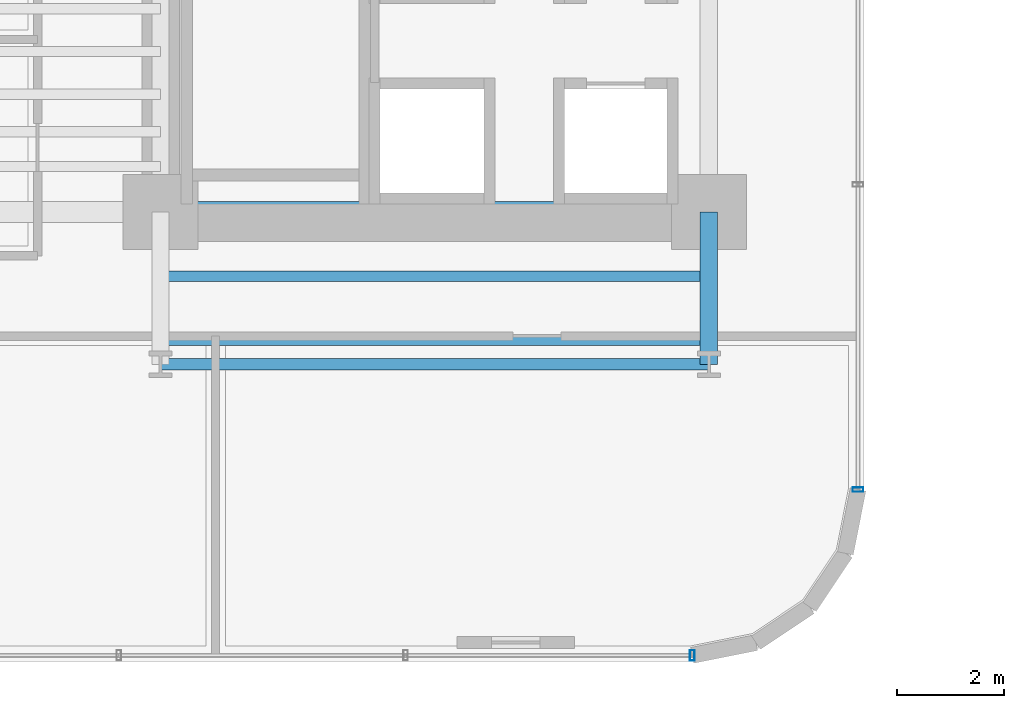
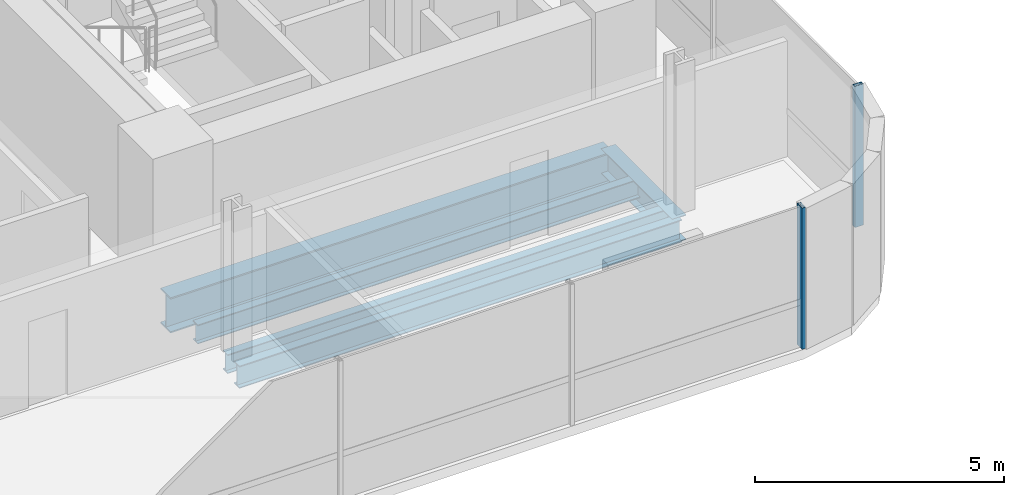
# One storey, part 5 of 39: 5 beams, 2 members, 2 elements without a shape of their own.
"""IFC4 building model written with IfcOpenShell, lengths in metres."""

import ifcopenshell
import ifcopenshell.guid

model = None  # the IFC model being written
_history = None  # IfcOwnerHistory: only IFC2X3 demands one
_inside = {}  # id of a spatial element -> (the spatial element, [elements in it])
_under = {}  # id of a project, library or spatial element -> (it, [spatial elements below it])
_declared = {}  # id of a project -> (the project, [libraries it declares])
_typed = {}  # id of a type object -> (the type object, [elements of that type])
_made_of = {}  # id of a material, layer set ... -> (it, [elements and type objects made of it])


def new_model(schema):
    """Start an empty IFC model of exactly this schema.

    Asked for "IFC4X3", IfcOpenShell would pick the latest addendum, in which some entities
    have other attributes; the version numbers below select the first issue.
    IFC2X3 requires an IfcOwnerHistory on every rooted entity: one is made here for all.
    """
    global model, _history
    if schema == "IFC4X3":
        model = ifcopenshell.file(schema_version=(4, 3, 0, 0))
    else:
        model = ifcopenshell.file(schema=schema)
    _inside.clear()
    _under.clear()
    _declared.clear()
    _typed.clear()
    _made_of.clear()
    _history = None
    if model.schema == "IFC2X3":
        org = make("IfcOrganization", Name="unknown")
        user = make(
            "IfcPersonAndOrganization",
            ThePerson=make("IfcPerson", FamilyName="unknown"),
            TheOrganization=org,
        )
        app = make(
            "IfcApplication",
            ApplicationDeveloper=org,
            Version="unknown",
            ApplicationFullName="unknown",
            ApplicationIdentifier="unknown",
        )
        _history = make(
            "IfcOwnerHistory",
            OwningUser=user,
            OwningApplication=app,
            ChangeAction="ADDED",
            CreationDate=0,
        )
    return model


def make(cls, **values):
    """One entity of the class cls with the attributes given. An attribute that is None is left unset."""
    return model.create_entity(
        cls, **{name: value for name, value in values.items() if value is not None}
    )


def rooted(cls, **values):
    """An entity with a GlobalId (a new one), such as an element, a storey or a relation."""
    return make(cls, GlobalId=ifcopenshell.guid.new(), OwnerHistory=_history, **values)


def si_unit(unit_type, name, prefix=None):
    """IfcSIUnit, for example si_unit("LENGTHUNIT", "METRE", prefix="MILLI")."""
    return make("IfcSIUnit", UnitType=unit_type, Prefix=prefix, Name=name)


def assignment(units):
    """IfcUnitAssignment: the units of a project."""
    return None if units is None else make("IfcUnitAssignment", Units=units)


def point(xyz):
    """IfcCartesianPoint."""
    return None if xyz is None else make("IfcCartesianPoint", Coordinates=xyz)


def direction(xyz):
    """IfcDirection."""
    return None if xyz is None else make("IfcDirection", DirectionRatios=xyz)


def frame(location, z_axis=None, x_axis=None):
    """IfcAxis2Placement3D, a coordinate frame: its origin and axes. An axis left out is left unset."""
    return make(
        "IfcAxis2Placement3D",
        Location=point(location),
        Axis=direction(z_axis),
        RefDirection=direction(x_axis),
    )


def frame_2d(location, x_axis=None):
    """IfcAxis2Placement2D, a coordinate frame in the plane: its origin and x axis."""
    return make(
        "IfcAxis2Placement2D", Location=point(location), RefDirection=direction(x_axis)
    )


def origin():
    """The frame at (0, 0, 0) with its axes left unset."""
    return frame((0.0, 0.0, 0.0))


def origin_2d():
    """The frame at (0, 0) in the plane with its x axis left unset."""
    return frame_2d((0.0, 0.0))


def place(relative_to, where):
    """IfcLocalPlacement: puts the frame where relative to a parent placement (None: the world)."""
    return make(
        "IfcLocalPlacement", PlacementRelTo=relative_to, RelativePlacement=where
    )


def context(
    kind, dimensions, precision=None, world=None, true_north=None, identifier=None
):
    """IfcGeometricRepresentationContext, for example the 3D "Model" context."""
    return make(
        "IfcGeometricRepresentationContext",
        ContextIdentifier=identifier,
        ContextType=kind,
        CoordinateSpaceDimension=dimensions,
        Precision=precision,
        WorldCoordinateSystem=world,
        TrueNorth=true_north,
    )


def subcontext(parent, identifier, kind, view, scale=None):
    """IfcGeometricRepresentationSubContext, for example "Body" below "Model"."""
    return make(
        "IfcGeometricRepresentationSubContext",
        ContextIdentifier=identifier,
        ContextType=kind,
        ParentContext=parent,
        TargetScale=scale,
        TargetView=view,
    )


def project(units=None, contexts=None):
    """IfcProject with its units and contexts."""
    return rooted(
        "IfcProject",
        Name="project",
        RepresentationContexts=contexts,
        UnitsInContext=assignment(units),
    )


def spatial(cls, under=None, at=None, **own):
    """A site, building, storey or space (cls), placed at a placement, below another one or the project."""
    s = rooted(cls, ObjectPlacement=at, **own)
    if under is not None:
        _under.setdefault(under.id(), (under, []))[1].append(s)
    return s


def profile(cls, at=None, kind="AREA", **sizes):
    """A parametric profile (cls). Its sizes go by their IFC names, for example OverallWidth=200.0."""
    return make(cls, ProfileType=kind, Position=at, **sizes)


def hollow_rectangle(**sizes):
    """IfcRectangleHollowProfileDef."""
    return profile("IfcRectangleHollowProfileDef", **sizes)


def i_section(**sizes):
    """IfcIShapeProfileDef."""
    return profile("IfcIShapeProfileDef", **sizes)


def extrude(swept, where, along, depth):
    """IfcExtrudedAreaSolid: the profile swept, set in the frame where, extruded along a direction by depth."""
    return make(
        "IfcExtrudedAreaSolid",
        SweptArea=swept,
        Position=where,
        ExtrudedDirection=direction(along),
        Depth=depth,
    )


def shape(context_of_items, identifier, shape_type, items):
    """IfcShapeRepresentation: the items that make up one representation, for example the "Body"."""
    return make(
        "IfcShapeRepresentation",
        ContextOfItems=context_of_items,
        RepresentationIdentifier=identifier,
        RepresentationType=shape_type,
        Items=items,
    )


def source(mapping_origin, context_of_items, identifier, shape_type, items):
    """IfcRepresentationMap: a shape defined once, which mapped items show again and again."""
    return make(
        "IfcRepresentationMap",
        MappingOrigin=mapping_origin,
        MappedRepresentation=shape(context_of_items, identifier, shape_type, items),
    )


def transform(
    local_origin,
    x_axis=None,
    y_axis=None,
    z_axis=None,
    scale=None,
    scale2=None,
    scale3=None,
    uniform=True,
):
    """IfcCartesianTransformationOperator3D, or its non-uniform kind. x_axis, y_axis, z_axis: its Axis1, 2, 3."""
    if uniform:
        return make(
            "IfcCartesianTransformationOperator3D",
            Axis1=direction(x_axis),
            Axis2=direction(y_axis),
            LocalOrigin=point(local_origin),
            Scale=scale,
            Axis3=direction(z_axis),
        )
    return make(
        "IfcCartesianTransformationOperator3DnonUniform",
        Axis1=direction(x_axis),
        Axis2=direction(y_axis),
        LocalOrigin=point(local_origin),
        Scale=scale,
        Axis3=direction(z_axis),
        Scale2=scale2,
        Scale3=scale3,
    )


def mapped(mapping_source, mapping_target):
    """IfcMappedItem: shows the shape of a source again, moved by a transform."""
    return make(
        "IfcMappedItem", MappingSource=mapping_source, MappingTarget=mapping_target
    )


def material(Name=None, Category=None):
    """IfcMaterial."""
    return make("IfcMaterial", Name=Name, Category=Category)


def material_profile(
    of_material, cross_section, Name=None, Category=None, Priority=None
):
    """IfcMaterialProfile: a cross section and its material."""
    return make(
        "IfcMaterialProfile",
        Name=Name,
        Material=of_material,
        Profile=cross_section,
        Priority=Priority,
        Category=Category,
    )


def profile_set(profiles, Name=None, composite=None):
    """IfcMaterialProfileSet."""
    return make(
        "IfcMaterialProfileSet",
        Name=Name,
        MaterialProfiles=profiles,
        CompositeProfile=composite,
    )


def made_of(thing, what):
    """Note that an element or type object is made of a material, layer set ...; save() writes the relation."""
    if what is not None:
        _made_of.setdefault(what.id(), (what, []))[1].append(thing)
    return thing


def type_object(cls, material=None, **own):
    """A type object (cls), such as IfcWallType, which elements share."""
    return made_of(rooted(cls, **own), material)


def element(
    cls,
    number,
    at=None,
    inside=None,
    cuts=None,
    type_object=None,
    material=None,
    context=None,
    identifier="Body",
    shape_type=None,
    held_by="IfcProductDefinitionShape",
    body=None,
    shapes=None,
    **own,
):
    """One element of the class cls, such as IfcWall. Its Tag is "e" and its number.

    at: its placement. inside: the storey or other place that contains it. cuts: it is an
    opening in that element (IfcRelVoidsElement). A single representation is given by context,
    identifier, shape_type and body (its items); several are given by shapes. held_by: the class
    of the entity that holds the representations. save() writes the other relations.
    """
    e = rooted(cls, Tag="e%d" % number, ObjectPlacement=at, **own)
    if body is not None:
        shapes = [shape(context, identifier, shape_type, body)]
    if shapes is not None:
        e.Representation = make(held_by, Representations=shapes)
    if inside is not None:
        _inside.setdefault(inside.id(), (inside, []))[1].append(e)
    if cuts is not None:
        rooted(
            "IfcRelVoidsElement", RelatingBuildingElement=cuts, RelatedOpeningElement=e
        )
    if type_object is not None:
        _typed.setdefault(type_object.id(), (type_object, []))[1].append(e)
    return made_of(e, material)


def aggregate(whole, parts):
    """IfcRelAggregates: a whole, such as a stair, and the parts it consists of."""
    return rooted("IfcRelAggregates", RelatingObject=whole, RelatedObjects=parts)


def save(model, path):
    """Write the relations noted so far, then the file.

    IfcRelAggregates (storeys below a building ...), IfcRelContainedInSpatialStructure (elements
    in a storey), IfcRelDefinesByType, IfcRelAssociatesMaterial and IfcRelDeclares: one each for
    every whole, place, type object, material and project.
    """
    for whole, parts in _under.values():
        aggregate(whole, parts)
    for where, things in _inside.values():
        rooted(
            "IfcRelContainedInSpatialStructure",
            RelatedElements=things,
            RelatingStructure=where,
        )
    for kind, things in _typed.values():
        rooted("IfcRelDefinesByType", RelatedObjects=things, RelatingType=kind)
    for what, things in _made_of.values():
        rooted("IfcRelAssociatesMaterial", RelatedObjects=things, RelatingMaterial=what)
    for by, libraries in _declared.values():
        rooted("IfcRelDeclares", RelatingContext=by, RelatedDefinitions=libraries)
    model.write(path)


model = new_model("IFC4")

# Units and contexts
model_context = context("Model", 3, precision=1e-05, world=origin(), true_north=direction((0.0, 1.0)))
body_context = subcontext(model_context, "Body", "Model", "MODEL_VIEW")
ifc_project = project(units=[si_unit("LENGTHUNIT", "METRE"), si_unit("AREAUNIT", "SQUARE_METRE"), si_unit("VOLUMEUNIT", "CUBIC_METRE"), si_unit("PLANEANGLEUNIT", "RADIAN"), si_unit("MASSUNIT", "GRAM", prefix="KILO")], contexts=[model_context])

# Site, building, storey
site_placement = place(None, origin())
site = spatial("IfcSite", under=ifc_project, at=site_placement, CompositionType="ELEMENT")
building_placement = place(site_placement, origin())
building = spatial("IfcBuilding", under=site, at=building_placement, Name="Valdorenza Pilgrim Sanctuary Tower", CompositionType="ELEMENT")
storey_placement = place(building_placement, frame((0.0, 0.0, 33.39990234375)))
storey = spatial("IfcBuildingStorey", under=building, at=storey_placement, Name="L07", CompositionType="ELEMENT", Elevation=33.39990234375)

# Beams
ifc_material_1 = material(Name="Steel ASTM A992 Grade 50", Category="steel")
ifc_material_profile_1 = material_profile(ifc_material_1, i_section(OverallWidth=0.214111328125, OverallDepth=0.549072265625, WebThickness=0.0146484375, FlangeThickness=0.023681640625, at=origin_2d()), Name="W21X93")
ifc_profile_set_1 = profile_set([ifc_material_profile_1], Name="Steel ASTM A992 Grade 50")
beam_type_1 = type_object("IfcBeamType", Name="STR-BM-SPN-W21A", PredefinedType="SPANDREL", material=ifc_profile_set_1)
shared_shape_1 = source(origin(), body_context, "Body", "SweptSolid", [
    extrude(i_section(OverallWidth=0.214111328125, OverallDepth=0.549072265625, WebThickness=0.0146484375, FlangeThickness=0.023681640625, at=origin_2d()), origin(), (0.0, 0.0, 1.0), 10.25),
])
beam_1_placement = place(storey_placement, frame((-22.64990234375, -13.449951171875, -0.514404296875), z_axis=(1.0, 0.0, 0.0), x_axis=(0.0, 1.0, 0.0)))
element("IfcBeam", 1, at=beam_1_placement, inside=storey, type_object=beam_type_1, Name="L07 South Spandrel WA-S-TIE", PredefinedType="SPANDREL", context=body_context, shape_type="MappedRepresentation", body=[
    mapped(shared_shape_1, transform((0.0, 0.0, 0.0), x_axis=(1.0, 0.0, 0.0), y_axis=(0.0, 1.0, 0.0), z_axis=(0.0, 0.0, 1.0), scale=1.0)),
])
ifc_material_profile_2 = material_profile(ifc_material_1, i_section(OverallWidth=0.323974609375, OverallDepth=0.611083984375, WebThickness=0.0126953125, FlangeThickness=0.01904296875, at=origin_2d()), Name="W24X104")
ifc_profile_set_2 = profile_set([ifc_material_profile_2], Name="Steel ASTM A992 Grade 50")
beam_type_2 = type_object("IfcBeamType", Name="STR-BM-GRD-W24B", PredefinedType="BEAM", material=ifc_profile_set_2)
shared_shape_2 = source(origin(), body_context, "Body", "SweptSolid", [
    extrude(i_section(OverallWidth=0.323974609375, OverallDepth=0.611083984375, WebThickness=0.0126953125, FlangeThickness=0.01904296875, at=origin_2d()), origin(), (0.0, 0.0, 1.0), 2.849853515625),
])
beam_2_placement = place(storey_placement, frame((-12.39990234375, -13.449951171875, -0.54541015625), z_axis=(0.0, 1.0, 0.0), x_axis=(-1.0, 0.0, 0.0)))
element("IfcBeam", 2, at=beam_2_placement, inside=storey, type_object=beam_type_2, Name="L07 Floor Girder WA-S-LE", PredefinedType="BEAM", context=body_context, shape_type="MappedRepresentation", body=[
    mapped(shared_shape_2, transform((0.0, 0.0, 0.0), x_axis=(1.0, 0.0, 0.0), y_axis=(0.0, 1.0, 0.0), z_axis=(0.0, 0.0, 1.0), scale=1.0)),
])
ifc_material_profile_3 = material_profile(ifc_material_1, i_section(OverallWidth=0.193115234375, OverallDepth=0.466064453125, WebThickness=0.011474609375, FlangeThickness=0.01904296875, at=origin_2d()), Name="W18X65")
ifc_profile_set_3 = profile_set([ifc_material_profile_3], Name="Steel ASTM A992 Grade 50")
beam_type_3 = type_object("IfcBeamType", Name="STR-BM-JST-W18A", PredefinedType="JOIST", material=ifc_profile_set_3)
shared_shape_3 = source(origin(), body_context, "Body", "SweptSolid", [
    extrude(i_section(OverallWidth=0.193115234375, OverallDepth=0.466064453125, WebThickness=0.011474609375, FlangeThickness=0.01904296875, at=origin_2d()), origin(), (0.0, 0.0, 1.0), 10.25),
])
for number, where, z_axis, x_axis, name in (
    (3, (-22.64990234375, -13.0, -0.472900390625), (1.0, 0.0, 0.0), (0.0, 1.0, 0.0), "L07 Composite Floor Joist JST-WAS-1"),
    (4, (-22.64990234375, -11.800048828125, -0.472900390625), (1.0, 0.0, 0.0), (0.0, 1.0, 0.0), "L07 Composite Floor Joist JST-WAS-2"),
):
    element("IfcBeam", number, at=place(storey_placement, frame(where, z_axis=z_axis, x_axis=x_axis)), inside=storey, type_object=beam_type_3, Name=name, PredefinedType="JOIST", context=body_context, shape_type="MappedRepresentation", body=[
        mapped(shared_shape_3, transform((0.0, 0.0, 0.0), x_axis=(1.0, 0.0, 0.0), y_axis=(0.0, 1.0, 0.0), z_axis=(0.0, 0.0, 1.0), scale=1.0)),
    ])
ifc_material_profile_4 = material_profile(ifc_material_1, i_section(OverallWidth=0.39990234375, OverallDepth=0.862060546875, WebThickness=0.019775390625, FlangeThickness=0.032470703125, at=origin_2d()), Name="W33X221")
ifc_profile_set_4 = profile_set([ifc_material_profile_4], Name="Steel ASTM A992 Grade 50")
beam_type_4 = type_object("IfcBeamType", Name="STR-BM-GRD-W33", PredefinedType="BEAM", material=ifc_profile_set_4)
shared_shape_4 = source(origin(), body_context, "Body", "SweptSolid", [
    extrude(i_section(OverallWidth=0.39990234375, OverallDepth=0.862060546875, WebThickness=0.019775390625, FlangeThickness=0.032470703125, at=origin_2d()), origin(), (0.0, 0.0, 1.0), 10.25),
])
beam_3_placement = place(storey_placement, frame((-22.64990234375, -10.60009765625, -0.6708984375), z_axis=(1.0, 0.0, 0.0), x_axis=(0.0, 1.0, 0.0)))
element("IfcBeam", 5, at=beam_3_placement, inside=storey, type_object=beam_type_4, Name="L07 Floor Girder CA-XC-S1", PredefinedType="BEAM", context=body_context, shape_type="MappedRepresentation", body=[
    mapped(shared_shape_4, transform((0.0, 0.0, 0.0), x_axis=(1.0, 0.0, 0.0), y_axis=(0.0, 1.0, 0.0), z_axis=(0.0, 0.0, 1.0), scale=1.0)),
])

# Curtain wall, member
ifc_material_2 = material(Name="Curtain-wall IGU glazing", Category="glass")
curtain_wall_type = type_object("IfcCurtainWallType", Name="CW-SYS-02", PredefinedType="NOTDEFINED", material=ifc_material_2)
curtain_wall_1_placement = place(storey_placement, origin())
curtain_wall_1 = element("IfcCurtainWall", 6, at=curtain_wall_1_placement, inside=storey, type_object=curtain_wall_type, Name="L07 Curtain Wall CW-L07-1-41", PredefinedType="NOTDEFINED")
ifc_material_3 = material(Name="Anodised aluminium AW-6060", Category="aluminium")
ifc_material_profile_5 = material_profile(ifc_material_3, hollow_rectangle(XDim=0.0849609375, YDim=0.199951171875, WallThickness=0.0048828125, at=origin_2d()), Name="ALU-M 200x85x5")
ifc_profile_set_5 = profile_set([ifc_material_profile_5], Name="Anodised aluminium AW-6060")
member_type = type_object("IfcMemberType", Name="CW-MUL-02", PredefinedType="MULLION", material=ifc_profile_set_5)
shared_shape_5 = source(origin(), body_context, "Body", "SweptSolid", [
    extrude(hollow_rectangle(XDim=0.0849609375, YDim=0.199951171875, WallThickness=0.0048828125, at=origin_2d()), origin(), (0.0, 0.0, 1.0), 3.460205078125),
])
member_1_placement = place(storey_placement, frame((-9.610107421875, -15.789306640625, 0.0), z_axis=(0.0, 0.0, 1.0), x_axis=(0.0, -1.0, 0.0)))
member_1 = element("IfcMember", 7, at=member_1_placement, type_object=member_type, Name="CW-L07-1-41 Mullion 5", PredefinedType="MULLION", context=body_context, shape_type="MappedRepresentation", body=[
    mapped(shared_shape_5, transform((0.0, 0.0, 0.0), x_axis=(1.0, 0.0, 0.0), y_axis=(0.0, 1.0, 0.0), z_axis=(0.0, 0.0, 1.0), scale=1.0)),
])
aggregate(curtain_wall_1, [member_1])

curtain_wall_2_placement = place(storey_placement, origin())
curtain_wall_2 = element("IfcCurtainWall", 8, at=curtain_wall_2_placement, inside=storey, type_object=curtain_wall_type, Name="L07 Curtain Wall CW-L07-1-46", PredefinedType="NOTDEFINED")
member_2_placement = place(storey_placement, frame((-12.710693359375, -18.889892578125, 0.0), z_axis=(0.0, 0.0, 1.0), x_axis=(-1.0, 0.0, 0.0)))
member_2 = element("IfcMember", 9, at=member_2_placement, type_object=member_type, Name="CW-L07-1-46 Mullion 1", PredefinedType="MULLION", context=body_context, shape_type="MappedRepresentation", body=[
    mapped(shared_shape_5, transform((0.0, 0.0, 0.0), x_axis=(1.0, 0.0, 0.0), y_axis=(0.0, 1.0, 0.0), z_axis=(0.0, 0.0, 1.0), scale=1.0)),
])
aggregate(curtain_wall_2, [member_2])

save(model, "model.ifc")
